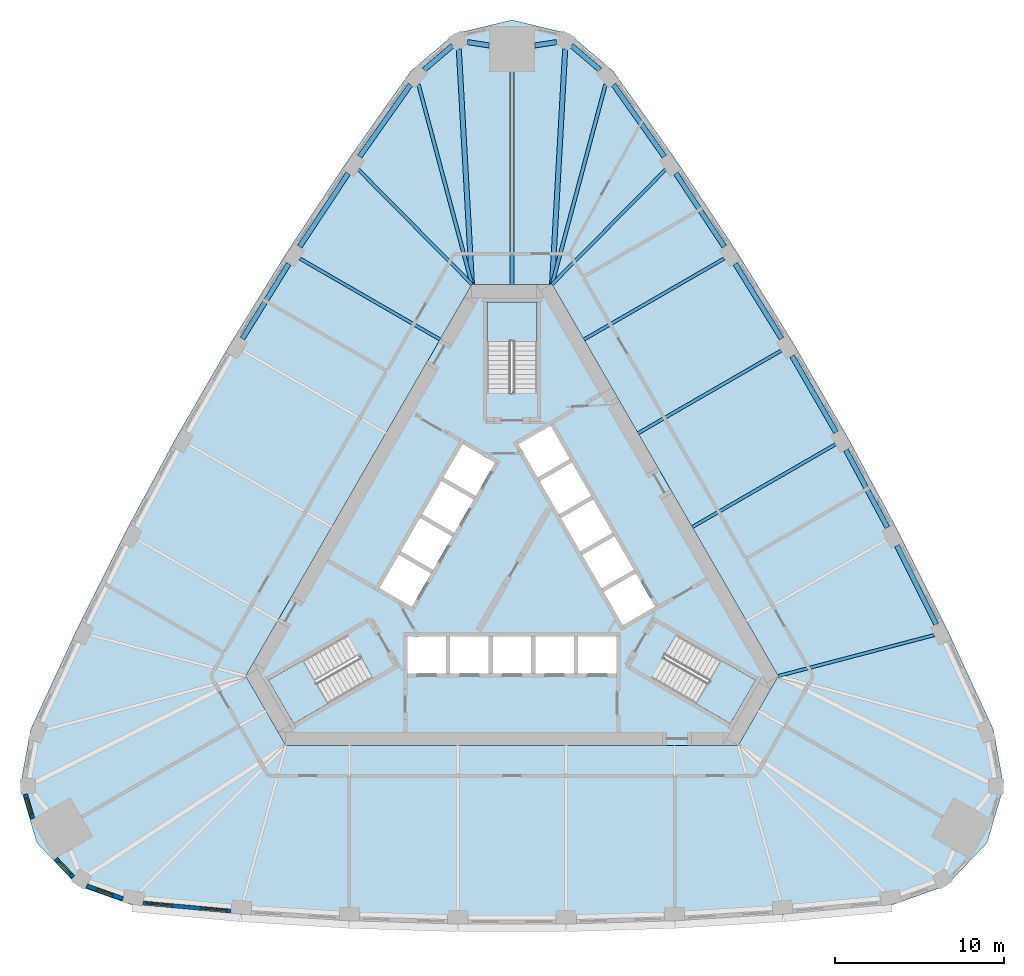
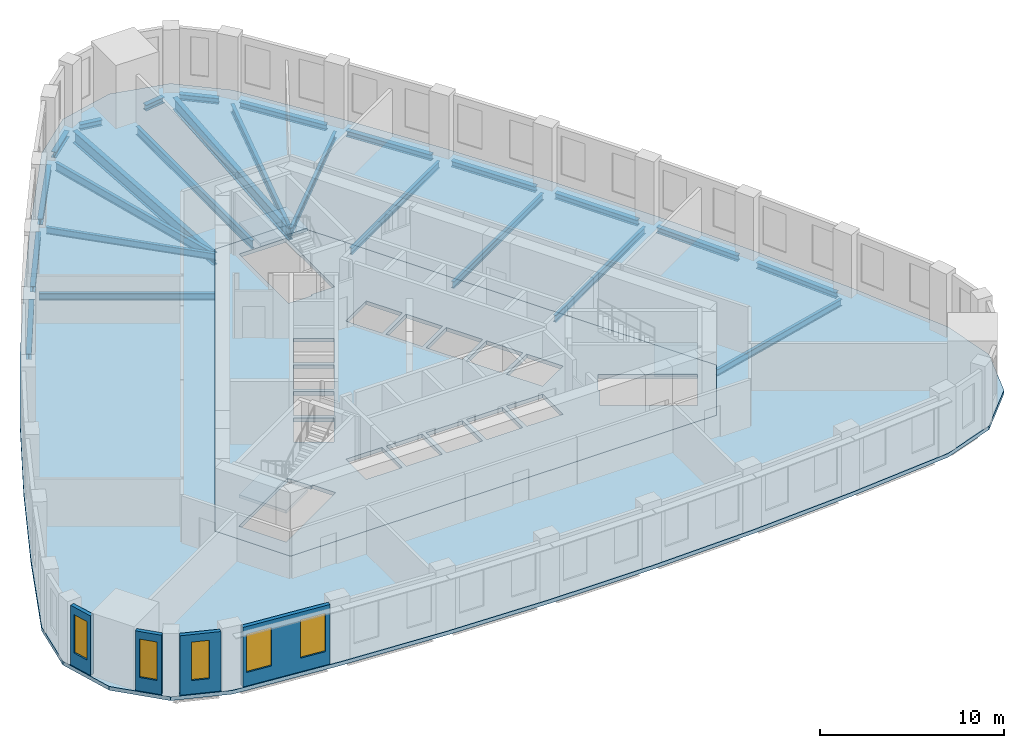
# One storey, part 2 of 9: 25 beams, 5 slabs, 5 windows, 4 walls, 5 openings, 3 elements without a shape of their own.
"""IFC4 building model written with IfcOpenShell, lengths in metres."""

from ifc_helpers import new_model, si_unit, direction, frame, frame_2d, origin, origin_2d, place, context, subcontext, project, spatial, polyline, rectangle, i_section, outline, extrude, material, layer, layer_set, material_profile, profile_set, type_object, element, fill, aggregate, save


model = new_model("IFC4")

# Units and contexts
model_context = context("Model", 3, precision=1e-05, world=origin(), true_north=direction((0.0, 1.0)))
body_context = subcontext(model_context, "Body", "Model", "MODEL_VIEW")
ifc_project = project(units=[si_unit("LENGTHUNIT", "METRE"), si_unit("AREAUNIT", "SQUARE_METRE"), si_unit("VOLUMEUNIT", "CUBIC_METRE"), si_unit("PLANEANGLEUNIT", "RADIAN"), si_unit("MASSUNIT", "GRAM", prefix="KILO")], contexts=[model_context])

# Site, building, storey
site_placement = place(None, origin())
site = spatial("IfcSite", under=ifc_project, at=site_placement, CompositionType="ELEMENT")
building_placement = place(site_placement, origin())
building = spatial("IfcBuilding", under=site, at=building_placement, Name="Mestral Congress Tower", CompositionType="ELEMENT")
storey_placement = place(building_placement, frame((0.0, 0.0, 183.60009765625)))
storey = spatial("IfcBuildingStorey", under=building, at=storey_placement, Name="L43", CompositionType="ELEMENT", Elevation=183.60009765625)

# Beams
ifc_material_1 = material(Name="Steel S355", Category="steel")
ifc_material_profile_1 = material_profile(ifc_material_1, i_section(OverallWidth=0.300048828125, OverallDepth=0.800048828125, WebThickness=0.017578125, FlangeThickness=0.032958984375, FilletRadius=0.030029296875, at=origin_2d()), Name="HEB 800")
ifc_profile_set_1 = profile_set([ifc_material_profile_1], Name="Steel S355")
beam_type_1 = type_object("IfcBeamType", Name="Floor beam HEB 800 S355", PredefinedType="BEAM", material=ifc_profile_set_1)
for number, where, z_axis, x_axis, name in (
    (1, (3.143798828125, 30.703857421875, -0.650146484375), (-0.055769084972, -0.998443693536, 0.0), (0.998443693536, -0.055769084972, 0.0), "BM-L43-RB3-N1"),
    (2, (-3.143798828125, 30.703857421875, -0.650146484375), (0.055769084972, -0.998443693536, 0.0), (0.998443693536, 0.055769084972, 0.0), "BM-L43-RB3-N3"),
):
    element("IfcBeam", number, at=place(storey_placement, frame(where, z_axis=z_axis, x_axis=x_axis)), inside=storey, type_object=beam_type_1, Name=name, PredefinedType="BEAM", context=body_context, shape_type="SweptSolid", body=[
        extrude(i_section(OverallWidth=0.300048828125, OverallDepth=0.800048828125, WebThickness=0.017578125, FlangeThickness=0.032958984375, FilletRadius=0.030029296875, at=origin_2d()), origin(), (0.0, 0.0, 1.0), 13.925537109375),
    ])
ifc_material_profile_2 = material_profile(ifc_material_1, i_section(OverallWidth=0.18994140625, OverallDepth=0.449951171875, WebThickness=0.009521484375, FlangeThickness=0.0146484375, FilletRadius=0.02099609375, at=origin_2d()), Name="IPE 450")
ifc_profile_set_2 = profile_set([ifc_material_profile_2], Name="Steel S355")
beam_type_2 = type_object("IfcBeamType", Name="Floor beam IPE 450 S355", PredefinedType="BEAM", material=ifc_profile_set_2)
beam_1_placement = place(storey_placement, frame((24.938232421875, -3.93505859375, -0.47509765625), z_axis=(-0.967265999603, -0.253764627187, 0.0), x_axis=(0.253764627187, -0.967265999603, 0.0)))
element("IfcBeam", 3, at=beam_1_placement, inside=storey, type_object=beam_type_2, Name="BM-L43-RB3-E01", PredefinedType="BEAM", context=body_context, shape_type="SweptSolid", body=[
    extrude(i_section(OverallWidth=0.18994140625, OverallDepth=0.449951171875, WebThickness=0.009521484375, FlangeThickness=0.0146484375, FilletRadius=0.02099609375, at=origin_2d()), origin(), (0.0, 0.0, 1.0), 9.516845703125),
])
beam_2_placement = place(storey_placement, frame((19.100830078125, 7.332763671875, -0.47509765625), z_axis=(-0.866036015824, -0.499981618958, 0.0), x_axis=(0.499981618958, -0.866036015824, 0.0)))
element("IfcBeam", 4, at=beam_2_placement, inside=storey, type_object=beam_type_2, Name="BM-L43-RB3-E03", PredefinedType="BEAM", context=body_context, shape_type="SweptSolid", body=[
    extrude(i_section(OverallWidth=0.18994140625, OverallDepth=0.449951171875, WebThickness=0.009521484375, FlangeThickness=0.0146484375, FilletRadius=0.02099609375, at=origin_2d()), origin(), (0.0, 0.0, 1.0), 9.758056640625),
])
beam_3_placement = place(storey_placement, frame((15.90087890625, 12.875244140625, -0.47509765625), z_axis=(-0.866025182435, -0.500000383388, 0.0), x_axis=(0.500000383388, -0.866025182435, 0.0)))
element("IfcBeam", 5, at=beam_3_placement, inside=storey, type_object=beam_type_2, Name="BM-L43-RB3-E04", PredefinedType="BEAM", context=body_context, shape_type="SweptSolid", body=[
    extrude(i_section(OverallWidth=0.18994140625, OverallDepth=0.449951171875, WebThickness=0.009521484375, FlangeThickness=0.0146484375, FilletRadius=0.02099609375, at=origin_2d()), origin(), (0.0, 0.0, 1.0), 9.75830078125),
])
beam_4_placement = place(storey_placement, frame((12.532958984375, 18.317138671875, -0.47509765625), z_axis=(-0.866022320763, -0.500005339912, 0.0), x_axis=(0.500005339912, -0.866022320763, 0.0)))
element("IfcBeam", 6, at=beam_4_placement, inside=storey, type_object=beam_type_2, Name="BM-L43-RB3-E05", PredefinedType="BEAM", context=body_context, shape_type="SweptSolid", body=[
    extrude(i_section(OverallWidth=0.18994140625, OverallDepth=0.449951171875, WebThickness=0.009521484375, FlangeThickness=0.0146484375, FilletRadius=0.02099609375, at=origin_2d()), origin(), (0.0, 0.0, 1.0), 9.5625),
])
for number, where, z_axis, x_axis, name in (
    (7, (9.06103515625, 23.564697265625, -0.47509765625), (-0.703377189025, -0.710816804781, 0.0), (0.710816804781, -0.703377189025, 0.0), "BM-L43-RB3-E06"),
    (8, (-9.06103515625, 23.564697265625, -0.47509765625), (0.703377189025, -0.710816804781, 0.0), (0.710816804781, 0.703377189025, 0.0), "BM-L43-RB3-W01"),
):
    element("IfcBeam", number, at=place(storey_placement, frame(where, z_axis=z_axis, x_axis=x_axis)), inside=storey, type_object=beam_type_2, Name=name, PredefinedType="BEAM", context=body_context, shape_type="SweptSolid", body=[
        extrude(i_section(OverallWidth=0.18994140625, OverallDepth=0.449951171875, WebThickness=0.009521484375, FlangeThickness=0.0146484375, FilletRadius=0.02099609375, at=origin_2d()), origin(), (0.0, 0.0, 1.0), 9.516845703125),
    ])
beam_5_placement = place(storey_placement, frame((-12.532958984375, 18.317138671875, -0.47509765625), z_axis=(0.866022320763, -0.500005339912, 0.0), x_axis=(0.500005339912, 0.866022320763, 0.0)))
element("IfcBeam", 9, at=beam_5_placement, inside=storey, type_object=beam_type_2, Name="BM-L43-RB3-W02", PredefinedType="BEAM", context=body_context, shape_type="SweptSolid", body=[
    extrude(i_section(OverallWidth=0.18994140625, OverallDepth=0.449951171875, WebThickness=0.009521484375, FlangeThickness=0.0146484375, FilletRadius=0.02099609375, at=origin_2d()), origin(), (0.0, 0.0, 1.0), 9.5625),
])
ifc_material_profile_3 = material_profile(ifc_material_1, i_section(OverallWidth=0.2099609375, OverallDepth=0.550048828125, WebThickness=0.010986328125, FlangeThickness=0.01708984375, FilletRadius=0.02392578125, at=origin_2d()), Name="IPE 550")
ifc_profile_set_3 = profile_set([ifc_material_profile_3], Name="Steel S355")
beam_type_3 = type_object("IfcBeamType", Name="Floor beam IPE 550 S355", PredefinedType="BEAM", material=ifc_profile_set_3)
beam_6_placement = place(storey_placement, frame((5.5283203125, 28.609375, -0.525146484375), z_axis=(-0.258577363905, -0.965990552167, 0.0), x_axis=(0.965990552167, -0.258577363905, 0.0)))
element("IfcBeam", 10, at=beam_6_placement, inside=storey, type_object=beam_type_3, Name="BM-L43-RB3-E07", PredefinedType="BEAM", context=body_context, shape_type="SweptSolid", body=[
    extrude(i_section(OverallWidth=0.2099609375, OverallDepth=0.550048828125, WebThickness=0.010986328125, FlangeThickness=0.01708984375, FilletRadius=0.02392578125, at=origin_2d()), origin(), (0.0, 0.0, 1.0), 12.22509765625),
])
beam_7_placement = place(storey_placement, frame((0.0, 29.354248046875, -0.525146484375), z_axis=(0.0, -1.0, 0.0), x_axis=(1.0, 0.0, 0.0)))
element("IfcBeam", 11, at=beam_7_placement, inside=storey, type_object=beam_type_3, Name="BM-L43-RB3-N", PredefinedType="BEAM", context=body_context, shape_type="SweptSolid", body=[
    extrude(i_section(OverallWidth=0.2099609375, OverallDepth=0.550048828125, WebThickness=0.010986328125, FlangeThickness=0.01708984375, FilletRadius=0.02392578125, at=origin_2d()), origin(), (0.0, 0.0, 1.0), 12.55419921875),
])
beam_8_placement = place(storey_placement, frame((-5.5283203125, 28.609375, -0.525146484375), z_axis=(0.258577363905, -0.965990552167, 0.0), x_axis=(0.965990552167, 0.258577363905, 0.0)))
element("IfcBeam", 12, at=beam_8_placement, inside=storey, type_object=beam_type_3, Name="BM-L43-RB3-W00", PredefinedType="BEAM", context=body_context, shape_type="SweptSolid", body=[
    extrude(i_section(OverallWidth=0.2099609375, OverallDepth=0.550048828125, WebThickness=0.010986328125, FlangeThickness=0.01708984375, FilletRadius=0.02392578125, at=origin_2d()), origin(), (0.0, 0.0, 1.0), 12.22509765625),
])
ifc_material_profile_4 = material_profile(ifc_material_1, i_section(OverallWidth=0.300048828125, OverallDepth=0.389892578125, WebThickness=0.010986328125, FlangeThickness=0.01904296875, FilletRadius=0.027099609375, at=origin_2d()), Name="HEA 400")
ifc_profile_set_4 = profile_set([ifc_material_profile_4], Name="Steel S355")
beam_type_4 = type_object("IfcBeamType", Name="Spandrel beam HEA 400 S355", PredefinedType="BEAM", material=ifc_profile_set_4)
beam_9_placement = place(storey_placement, frame((25.064453125, -3.294677734375, -0.445068359375), z_axis=(-0.446255467462, 0.894905613884, 0.0), x_axis=(-0.894905613884, -0.446255467462, 0.0)))
element("IfcBeam", 13, at=beam_9_placement, inside=storey, type_object=beam_type_4, Name="SP-L43-SB3-E01", PredefinedType="BEAM", context=body_context, shape_type="SweptSolid", body=[
    extrude(i_section(OverallWidth=0.300048828125, OverallDepth=0.389892578125, WebThickness=0.010986328125, FlangeThickness=0.01904296875, FilletRadius=0.027099609375, at=origin_2d()), origin(), (0.0, 0.0, 1.0), 5.199462890625),
])
for number, where, z_axis, x_axis, name in (
    (14, (22.1923828125, 2.424072265625, -0.445068359375), (-0.473332458078, 0.880883865291, 0.0), (-0.880883865291, -0.473332458078, 0.0), "SP-L43-SB3-E02"),
    (15, (19.147216796875, 8.052490234375, -0.445068359375), (-0.499992051641, 0.866029992723, 0.0), (-0.866029992723, -0.499992051641, 0.0), "SP-L43-SB3-E03"),
):
    element("IfcBeam", number, at=place(storey_placement, frame(where, z_axis=z_axis, x_axis=x_axis)), inside=storey, type_object=beam_type_4, Name=name, PredefinedType="BEAM", context=body_context, shape_type="SweptSolid", body=[
        extrude(i_section(OverallWidth=0.300048828125, OverallDepth=0.389892578125, WebThickness=0.010986328125, FlangeThickness=0.01904296875, FilletRadius=0.027099609375, at=origin_2d()), origin(), (0.0, 0.0, 1.0), 5.19970703125),
    ])
for number, where, z_axis, x_axis, name in (
    (16, (15.931640625, 13.585693359375, -0.445068359375), (-0.526220441006, 0.8503481919, 0.0), (-0.8503481919, -0.526220441006, 0.0), "SP-L43-SB3-E04"),
    (17, (12.548583984375, 19.017822265625, -0.445068359375), (-0.551901475275, 0.833909324561, 0.0), (-0.833909324561, -0.551901475275, 0.0), "SP-L43-SB3-E05"),
):
    element("IfcBeam", number, at=place(storey_placement, frame(where, z_axis=z_axis, x_axis=x_axis)), inside=storey, type_object=beam_type_4, Name=name, PredefinedType="BEAM", context=body_context, shape_type="SweptSolid", body=[
        extrude(i_section(OverallWidth=0.300048828125, OverallDepth=0.389892578125, WebThickness=0.010986328125, FlangeThickness=0.01904296875, FilletRadius=0.027099609375, at=origin_2d()), origin(), (0.0, 0.0, 1.0), 5.199462890625),
    ])
beam_10_placement = place(storey_placement, frame((9.00146484375, 24.34423828125, -0.445068359375), z_axis=(-0.577107284947, 0.816668342512, 0.0), x_axis=(-0.816668342512, -0.577107284947, 0.0)))
element("IfcBeam", 18, at=beam_10_placement, inside=storey, type_object=beam_type_4, Name="SP-L43-SB3-E06", PredefinedType="BEAM", context=body_context, shape_type="SweptSolid", body=[
    extrude(i_section(OverallWidth=0.300048828125, OverallDepth=0.389892578125, WebThickness=0.010986328125, FlangeThickness=0.01904296875, FilletRadius=0.027099609375, at=origin_2d()), origin(), (0.0, 0.0, 1.0), 5.197509765625),
])
beam_11_placement = place(storey_placement, frame((5.191162109375, 29.47509765625, -0.445068359375), z_axis=(-0.761471479234, 0.648198415852, 0.0), x_axis=(-0.648198415852, -0.761471479234, 0.0)))
element("IfcBeam", 19, at=beam_11_placement, inside=storey, type_object=beam_type_4, Name="SP-L43-SB3-E07", PredefinedType="BEAM", context=body_context, shape_type="SweptSolid", body=[
    extrude(i_section(OverallWidth=0.300048828125, OverallDepth=0.389892578125, WebThickness=0.010986328125, FlangeThickness=0.01904296875, FilletRadius=0.027099609375, at=origin_2d()), origin(), (0.0, 0.0, 1.0), 2.189697265625),
])
for number, where, z_axis, x_axis, name in (
    (20, (2.62353515625, 31.10986328125, -0.445068359375), (-0.988242111203, -0.152897121116, 0.0), (0.152897121116, -0.988242111203, 0.0), "SP-L43-SB3-N1"),
    (21, (-1.35009765625, 30.912841796875, -0.445068359375), (-0.988242111203, 0.152897121116, 0.0), (-0.152897121116, -0.988242111203, 0.0), "SP-L43-SB3-N"),
):
    element("IfcBeam", number, at=place(storey_placement, frame(where, z_axis=z_axis, x_axis=x_axis)), inside=storey, type_object=beam_type_4, Name=name, PredefinedType="BEAM", context=body_context, shape_type="SweptSolid", body=[
        extrude(i_section(OverallWidth=0.300048828125, OverallDepth=0.389892578125, WebThickness=0.010986328125, FlangeThickness=0.01904296875, FilletRadius=0.027099609375, at=origin_2d()), origin(), (0.0, 0.0, 1.0), 1.28857421875),
    ])
beam_12_placement = place(storey_placement, frame((-3.523681640625, 30.89453125, -0.445068359375), z_axis=(-0.761471479234, -0.648198415852, 0.0), x_axis=(0.648198415852, -0.761471479234, 0.0)))
element("IfcBeam", 22, at=beam_12_placement, inside=storey, type_object=beam_type_4, Name="SP-L43-SB3-N3", PredefinedType="BEAM", context=body_context, shape_type="SweptSolid", body=[
    extrude(i_section(OverallWidth=0.300048828125, OverallDepth=0.389892578125, WebThickness=0.010986328125, FlangeThickness=0.01904296875, FilletRadius=0.027099609375, at=origin_2d()), origin(), (0.0, 0.0, 1.0), 2.189697265625),
])
beam_13_placement = place(storey_placement, frame((-6.001953125, 28.5888671875, -0.445068359375), z_axis=(-0.577107284947, -0.816668342512, 0.0), x_axis=(0.816668342512, -0.577107284947, 0.0)))
element("IfcBeam", 23, at=beam_13_placement, inside=storey, type_object=beam_type_4, Name="SP-L43-SB3-W00", PredefinedType="BEAM", context=body_context, shape_type="SweptSolid", body=[
    extrude(i_section(OverallWidth=0.300048828125, OverallDepth=0.389892578125, WebThickness=0.010986328125, FlangeThickness=0.01904296875, FilletRadius=0.027099609375, at=origin_2d()), origin(), (0.0, 0.0, 1.0), 5.197509765625),
])
for number, where, z_axis, x_axis, name in (
    (24, (-9.678955078125, 23.353759765625, -0.445068359375), (-0.551901475275, -0.833909324561, 0.0), (0.833909324561, -0.551901475275, 0.0), "SP-L43-SB3-W01"),
    (25, (-13.195556640625, 18.007080078125, -0.445068359375), (-0.526220441006, -0.8503481919, 0.0), (0.8503481919, -0.526220441006, 0.0), "SP-L43-SB3-W02"),
):
    element("IfcBeam", number, at=place(storey_placement, frame(where, z_axis=z_axis, x_axis=x_axis)), inside=storey, type_object=beam_type_4, Name=name, PredefinedType="BEAM", context=body_context, shape_type="SweptSolid", body=[
        extrude(i_section(OverallWidth=0.300048828125, OverallDepth=0.389892578125, WebThickness=0.010986328125, FlangeThickness=0.01904296875, FilletRadius=0.027099609375, at=origin_2d()), origin(), (0.0, 0.0, 1.0), 5.199462890625),
    ])

# Slabs
ifc_material_2 = material(Name="Concrete C35/45", Category="concrete")
ifc_layer_1 = layer(ifc_material_2, 0.25)
ifc_layer_set_1 = layer_set([ifc_layer_1], Name="Concrete C35/45")
slab_type_1 = type_object("IfcSlabType", Name="Composite floor slab 250", PredefinedType="FLOOR", material=ifc_layer_set_1)
placement_1 = place(storey_placement, frame((0.0, 0.0, -0.25)))
element("IfcSlab", 26, at=placement_1, inside=storey, type_object=slab_type_1, Name="SL-L43", PredefinedType="FLOOR", context=body_context, shape_type="SweptSolid", body=[
    extrude(outline(polyline([(-22.455078125, -19.880126953125), (-25.68212890625, -18.731689453125), (-28.073974609375, -16.20849609375), (-29.06298828125, -12.87548828125), (-28.444091796875, -9.506591796875), (-25.73779296875, -3.63720703125), (-22.8759765625, 2.1025390625), (-19.84033203125, 7.751953125), (-16.633544921875, 13.30615234375), (-13.2587890625, 18.760009765625), (-9.71923828125, 24.1083984375), (-5.9892578125, 29.38671875), (-3.381103515625, 31.607177734375), (0.0, 32.4169921875), (3.381103515625, 31.607177734375), (5.9892578125, 29.38671875), (9.71923828125, 24.1083984375), (13.2587890625, 18.760009765625), (16.633544921875, 13.30615234375), (19.84033203125, 7.751953125), (22.8759765625, 2.1025390625), (25.73779296875, -3.63720703125), (28.444091796875, -9.506591796875), (29.06298828125, -12.87548828125), (28.073974609375, -16.20849609375), (25.68212890625, -18.731689453125), (22.455078125, -19.880126953125), (16.018798828125, -20.47119140625), (9.6171875, -20.862548828125), (3.206787109375, -21.05810546875), (-3.206787109375, -21.05810546875), (-9.6171875, -20.862548828125), (-16.018798828125, -20.47119140625), (-22.455078125, -19.880126953125)]), holes=[polyline([(-2.3671875, 16.800048828125), (-15.73291015625, -6.35009765625), (-13.36572265625, -10.449951171875), (13.36572265625, -10.449951171875), (15.73291015625, -6.35009765625), (2.3671875, 16.800048828125), (-2.3671875, 16.800048828125)])]), origin(), (0.0, 0.0, 1.0), 0.25),
])
ifc_material_3 = material(Name="Concrete C60/75", Category="concrete")
ifc_layer_2 = layer(ifc_material_3, 0.25)
ifc_layer_set_2 = layer_set([ifc_layer_2], Name="Concrete C60/75")
slab_type_2 = type_object("IfcSlabType", Name="Core floor slab RC 250", PredefinedType="FLOOR", material=ifc_layer_set_2)
element("IfcSlab", 27, at=placement_1, inside=storey, type_object=slab_type_2, Name="L43 core floor", PredefinedType="FLOOR", context=body_context, shape_type="SweptSolid", body=[
    extrude(outline(polyline([(13.36572265625, -10.449951171875), (-13.36572265625, -10.449951171875), (-15.73291015625, -6.35009765625), (-2.3671875, 16.800048828125), (2.3671875, 16.800048828125), (15.73291015625, -6.35009765625), (13.36572265625, -10.449951171875)]), holes=[polyline([(-9.8046875, -3.95751953125), (-14.37744140625, -6.59765625), (-12.90234375, -9.15234375), (-8.234619140625, -6.45751953125), (-8.971923828125, -5.179931640625), (-9.0673828125, -5.235107421875), (-9.8046875, -3.95751953125)]), polyline([(-3.905029296875, -4.0), (-6.175048828125, -4.0), (-6.175048828125, -6.199951171875), (-3.905029296875, -6.199951171875), (-3.905029296875, -4.0)]), polyline([(-1.385009765625, -4.0), (-3.655029296875, -4.0), (-3.655029296875, -6.199951171875), (-1.385009765625, -6.199951171875), (-1.385009765625, -4.0)]), polyline([(1.135009765625, -4.0), (-1.135009765625, -4.0), (-1.135009765625, -6.199951171875), (1.135009765625, -6.199951171875), (1.135009765625, -4.0)]), polyline([(-5.921630859375, -2.256591796875), (-4.78662109375, -0.29052734375), (-6.69189453125, 0.809326171875), (-7.826904296875, -1.156494140625), (-5.921630859375, -2.256591796875)]), polyline([(-4.66162109375, -0.07421875), (-3.526611328125, 1.8916015625), (-5.431884765625, 2.99169921875), (-6.56689453125, 1.02587890625), (-4.66162109375, -0.07421875)]), polyline([(-3.401611328125, 2.1083984375), (-2.2666015625, 4.07421875), (-4.171875, 5.174072265625), (-5.306884765625, 3.208251953125), (-3.401611328125, 2.1083984375)]), polyline([(-2.1416015625, 4.29052734375), (-1.006591796875, 6.256591796875), (-2.911865234375, 7.3564453125), (-4.046875, 5.390625), (-2.1416015625, 4.29052734375)]), polyline([(1.47509765625, 10.469970703125), (1.47509765625, 15.75), (-1.47509765625, 15.75), (-1.47509765625, 10.360107421875), (0.0, 10.360107421875), (0.0, 10.469970703125), (1.47509765625, 10.469970703125)]), polyline([(8.329833984375, -6.512451171875), (12.90234375, -9.15234375), (14.37744140625, -6.59765625), (9.70947265625, -3.902587890625), (8.971923828125, -5.179931640625), (9.0673828125, -5.235107421875), (8.329833984375, -6.512451171875)]), polyline([(3.655029296875, -4.0), (1.385009765625, -4.0), (1.385009765625, -6.199951171875), (3.655029296875, -6.199951171875), (3.655029296875, -4.0)]), polyline([(6.175048828125, -4.0), (3.905029296875, -4.0), (3.905029296875, -6.199951171875), (6.175048828125, -6.199951171875), (6.175048828125, -4.0)]), polyline([(5.41650390625, -1.3818359375), (6.551513671875, -3.34765625), (8.456787109375, -2.247802734375), (7.322021484375, -0.28173828125), (5.41650390625, -1.3818359375)]), polyline([(4.156494140625, 0.800537109375), (5.29150390625, -1.165283203125), (7.197021484375, -0.065185546875), (6.06201171875, 1.900634765625), (4.156494140625, 0.800537109375)]), polyline([(2.896484375, 2.98291015625), (4.031494140625, 1.01708984375), (5.93701171875, 2.1171875), (4.802001953125, 4.0830078125), (2.896484375, 2.98291015625)]), polyline([(3.5419921875, 6.265380859375), (1.63671875, 5.165283203125), (2.771484375, 3.199462890625), (4.677001953125, 4.29931640625), (3.5419921875, 6.265380859375)]), polyline([(2.281982421875, 8.44775390625), (0.376708984375, 7.34765625), (1.51171875, 5.3818359375), (3.4169921875, 6.481689453125), (2.281982421875, 8.44775390625)])]), origin(), (0.0, 0.0, 1.0), 0.25),
])

# Stair, slab
stair_type = type_object("IfcStairType", Name="Exit stair 1400", PredefinedType="HALF_TURN_STAIR", material=ifc_material_3)
placement_2 = place(storey_placement, origin())
stair_1 = element("IfcStair", 28, at=placement_2, inside=storey, type_object=stair_type, Name="L43 ST1", PredefinedType="HALF_TURN_STAIR")
ifc_layer_3 = layer(ifc_material_3, 0.199951171875)
ifc_layer_set_3 = layer_set([ifc_layer_3], Name="Concrete C60/75")
slab_type_3 = type_object("IfcSlabType", Name="Exit stair landing 200", PredefinedType="LANDING", material=ifc_layer_set_3)
placement_3 = place(storey_placement, frame((0.0, 0.0, 1.89990234375)))
slab_3 = element("IfcSlab", 29, at=placement_3, type_object=slab_type_3, Name="ST1 landing 1", PredefinedType="LANDING", context=body_context, shape_type="SweptSolid", body=[
    extrude(outline(polyline([(10.879638671875, -7.99609375), (12.364501953125, -5.424072265625), (14.39111328125, -6.593994140625), (12.906005859375, -9.166015625), (10.879638671875, -7.99609375)])), origin(), (0.0, 0.0, 1.0), 0.199951171875),
])
aggregate(stair_1, [slab_3])

stair_2 = element("IfcStair", 30, at=placement_2, inside=storey, type_object=stair_type, Name="L43 ST2", PredefinedType="HALF_TURN_STAIR")
slab_4 = element("IfcSlab", 31, at=placement_3, type_object=slab_type_3, Name="ST2 landing 1", PredefinedType="LANDING", context=body_context, shape_type="SweptSolid", body=[
    extrude(outline(polyline([(1.485107421875, 13.419921875), (-1.485107421875, 13.419921875), (-1.485107421875, 15.760009765625), (1.485107421875, 15.760009765625), (1.485107421875, 13.419921875)])), origin(), (0.0, 0.0, 1.0), 0.199951171875),
])
aggregate(stair_2, [slab_4])

stair_3 = element("IfcStair", 32, at=placement_2, inside=storey, type_object=stair_type, Name="L43 ST3", PredefinedType="HALF_TURN_STAIR")
slab_5 = element("IfcSlab", 33, at=placement_3, type_object=slab_type_3, Name="ST3 landing 1", PredefinedType="LANDING", context=body_context, shape_type="SweptSolid", body=[
    extrude(outline(polyline([(-12.364501953125, -5.424072265625), (-10.879638671875, -7.99609375), (-12.906005859375, -9.166015625), (-14.39111328125, -6.593994140625), (-12.364501953125, -5.424072265625)])), origin(), (0.0, 0.0, 1.0), 0.199951171875),
])
aggregate(stair_3, [slab_5])

# Wall, openings, windows
ifc_material_4 = material(Name="Precast concrete C40/50 with limestone facing", Category="masonry")
ifc_layer_4 = layer(ifc_material_4, 0.239990234375)
ifc_layer_set_4 = layer_set([ifc_layer_4], Name="Precast concrete C40/50 with limestone facing")
wall_type = type_object("IfcWallType", Name="Facade stone wall 240", PredefinedType="SOLIDWALL", material=ifc_layer_set_4)
wall_1_placement = place(storey_placement, frame((-21.797119140625, -19.769775390625, 0.0), z_axis=(0.0, 0.0, 1.0), x_axis=(0.995808712151, -0.091460422067, 0.0)))
wall_1 = element("IfcWall", 34, at=wall_1_placement, inside=storey, type_object=wall_type, Name="Facade wall F0-00", PredefinedType="SOLIDWALL", context=body_context, shape_type="SweptSolid", body=[
    extrude(rectangle(XDim=5.213134765625, YDim=0.239990234375, at=frame_2d((2.6064453125, 0.0))), origin(), (0.0, 0.0, 1.0), 3.949951171875),
])
opening_1_placement = place(wall_1_placement, frame((0.220947265625, 0.0, 0.89990234375)))
opening_1 = element("IfcOpeningElement", 35, at=opening_1_placement, cuts=wall_1, Name="Opening W4", PredefinedType="OPENING", context=body_context, shape_type="SweptSolid", body=[
    extrude(rectangle(XDim=1.5, YDim=2.550048828125, at=frame_2d((0.75, 1.27490234375))), frame((0.0, 0.1298828125, 0.0), z_axis=(0.0, -1.0, 0.0), x_axis=(1.0, 0.0, 0.0)), (0.0, 0.0, 1.0), 0.260009765625),
])
opening_2_placement = place(wall_1_placement, frame((3.452392578125, 0.0, 0.89990234375)))
opening_2 = element("IfcOpeningElement", 36, at=opening_2_placement, cuts=wall_1, Name="Opening W4", PredefinedType="OPENING", context=body_context, shape_type="SweptSolid", body=[
    extrude(rectangle(XDim=1.5, YDim=2.550048828125, at=frame_2d((0.75, 1.27490234375))), frame((0.0, 0.1298828125, 0.0), z_axis=(0.0, -1.0, 0.0), x_axis=(1.0, 0.0, 0.0)), (0.0, 0.0, 1.0), 0.260009765625),
])
ifc_material_5 = material(Name="Clear low-emissivity double glazing", Category="glass")
window_type_1 = type_object("IfcWindowType", Name="Facade punched window 1500 x 2550 sill 900", PartitioningType="SINGLE_PANEL", PredefinedType="WINDOW", material=ifc_material_5)
window_1_placement = place(opening_1_placement, origin())
window_1 = element("IfcWindow", 37, at=window_1_placement, inside=storey, type_object=window_type_1, Name="Window F0-00a", OverallHeight=2.550048828125, OverallWidth=1.5, PartitioningType="SINGLE_PANEL", PredefinedType="WINDOW", context=body_context, shape_type="SweptSolid", body=[
    extrude(rectangle(XDim=1.5, YDim=2.550048828125, at=frame_2d((0.75, 1.27490234375))), frame((0.0, 0.0400390625, 0.0), z_axis=(0.0, -1.0, 0.0), x_axis=(1.0, 0.0, 0.0)), (0.0, 0.0, 1.0), 0.06005859375),
])
fill(opening_1, window_1)
window_2_placement = place(opening_2_placement, origin())
window_2 = element("IfcWindow", 38, at=window_2_placement, inside=storey, type_object=window_type_1, Name="Window F0-00b", OverallHeight=2.550048828125, OverallWidth=1.5, PartitioningType="SINGLE_PANEL", PredefinedType="WINDOW", context=body_context, shape_type="SweptSolid", body=[
    extrude(rectangle(XDim=1.5, YDim=2.550048828125, at=frame_2d((0.75, 1.27490234375))), frame((0.0, 0.0400390625, 0.0), z_axis=(0.0, -1.0, 0.0), x_axis=(1.0, 0.0, 0.0)), (0.0, 0.0, 1.0), 0.06005859375),
])
fill(opening_2, window_2)

# Wall, opening, window
wall_2_placement = place(storey_placement, frame((-28.747802734375, -13.340087890625, 0.0), z_axis=(0.0, 0.0, 1.0), x_axis=(0.284413721403, -0.958701640281, 0.0)))
wall_2 = element("IfcWall", 39, at=wall_2_placement, inside=storey, type_object=wall_type, Name="Facade wall K2-1", PredefinedType="SOLIDWALL", context=body_context, shape_type="SweptSolid", body=[
    extrude(rectangle(XDim=1.481689453125, YDim=0.239990234375, at=frame_2d((0.74072265625, 0.0))), origin(), (0.0, 0.0, 1.0), 3.949951171875),
])
opening_3_placement = place(wall_2_placement, frame((0.24072265625, 0.0, 0.89990234375)))
opening_3 = element("IfcOpeningElement", 40, at=opening_3_placement, cuts=wall_2, Name="Opening W5", PredefinedType="OPENING", context=body_context, shape_type="SweptSolid", body=[
    extrude(rectangle(XDim=1.0, YDim=2.550048828125, at=frame_2d((0.5, 1.27490234375))), frame((0.0, 0.1298828125, 0.0), z_axis=(0.0, -1.0, 0.0), x_axis=(1.0, 0.0, 0.0)), (0.0, 0.0, 1.0), 0.260009765625),
])
window_type_2 = type_object("IfcWindowType", Name="Facade punched window 1000 x 2550 sill 900", PartitioningType="SINGLE_PANEL", PredefinedType="WINDOW", material=ifc_material_5)
window_3_placement = place(opening_3_placement, origin())
window_3 = element("IfcWindow", 41, at=window_3_placement, inside=storey, type_object=window_type_2, Name="Window K2-1", OverallHeight=2.550048828125, OverallWidth=1.0, PartitioningType="SINGLE_PANEL", PredefinedType="WINDOW", context=body_context, shape_type="SweptSolid", body=[
    extrude(rectangle(XDim=1.0, YDim=2.550048828125, at=frame_2d((0.5, 1.27490234375))), frame((0.0, 0.0400390625, 0.0), z_axis=(0.0, -1.0, 0.0), x_axis=(1.0, 0.0, 0.0)), (0.0, 0.0, 1.0), 0.06005859375),
])
fill(opening_3, window_3)

wall_3_placement = place(storey_placement, frame((-26.946044921875, -17.151123046875, 0.0), z_axis=(0.0, 0.0, 1.0), x_axis=(0.687986858937, -0.725723144133, 0.0)))
wall_3 = element("IfcWall", 42, at=wall_3_placement, inside=storey, type_object=wall_type, Name="Facade wall K2-2", PredefinedType="SOLIDWALL", context=body_context, shape_type="SweptSolid", body=[
    extrude(rectangle(XDim=1.4814453125, YDim=0.239990234375, at=frame_2d((0.74072265625, 0.0))), origin(), (0.0, 0.0, 1.0), 3.949951171875),
])
opening_4_placement = place(wall_3_placement, frame((0.24072265625, 0.0, 0.89990234375)))
opening_4 = element("IfcOpeningElement", 43, at=opening_4_placement, cuts=wall_3, Name="Opening W5", PredefinedType="OPENING", context=body_context, shape_type="SweptSolid", body=[
    extrude(rectangle(XDim=1.0, YDim=2.550048828125, at=frame_2d((0.5, 1.27490234375))), frame((0.0, 0.1298828125, 0.0), z_axis=(0.0, -1.0, 0.0), x_axis=(1.0, 0.0, 0.0)), (0.0, 0.0, 1.0), 0.260009765625),
])
window_4_placement = place(opening_4_placement, origin())
window_4 = element("IfcWindow", 44, at=window_4_placement, inside=storey, type_object=window_type_2, Name="Window K2-2", OverallHeight=2.550048828125, OverallWidth=1.0, PartitioningType="SINGLE_PANEL", PredefinedType="WINDOW", context=body_context, shape_type="SweptSolid", body=[
    extrude(rectangle(XDim=1.0, YDim=2.550048828125, at=frame_2d((0.5, 1.27490234375))), frame((0.0, 0.0400390625, 0.0), z_axis=(0.0, -1.0, 0.0), x_axis=(1.0, 0.0, 0.0)), (0.0, 0.0, 1.0), 0.06005859375),
])
fill(opening_4, window_4)

wall_4_placement = place(storey_placement, frame((-25.12109375, -18.750732421875, 0.0), z_axis=(0.0, 0.0, 1.0), x_axis=(0.942099727267, -0.335332825539, 0.0)))
wall_4 = element("IfcWall", 45, at=wall_4_placement, inside=storey, type_object=wall_type, Name="Facade wall K2-3", PredefinedType="SOLIDWALL", context=body_context, shape_type="SweptSolid", body=[
    extrude(rectangle(XDim=2.25048828125, YDim=0.239990234375, at=frame_2d((1.125244140625, 0.0))), origin(), (0.0, 0.0, 1.0), 3.949951171875),
])
opening_5_placement = place(wall_4_placement, frame((0.625244140625, 0.0, 0.89990234375)))
opening_5 = element("IfcOpeningElement", 46, at=opening_5_placement, cuts=wall_4, Name="Opening W5", PredefinedType="OPENING", context=body_context, shape_type="SweptSolid", body=[
    extrude(rectangle(XDim=1.0, YDim=2.550048828125, at=frame_2d((0.5, 1.27490234375))), frame((0.0, 0.1298828125, 0.0), z_axis=(0.0, -1.0, 0.0), x_axis=(1.0, 0.0, 0.0)), (0.0, 0.0, 1.0), 0.260009765625),
])
window_5_placement = place(opening_5_placement, origin())
window_5 = element("IfcWindow", 47, at=window_5_placement, inside=storey, type_object=window_type_2, Name="Window K2-3", OverallHeight=2.550048828125, OverallWidth=1.0, PartitioningType="SINGLE_PANEL", PredefinedType="WINDOW", context=body_context, shape_type="SweptSolid", body=[
    extrude(rectangle(XDim=1.0, YDim=2.550048828125, at=frame_2d((0.5, 1.27490234375))), frame((0.0, 0.0400390625, 0.0), z_axis=(0.0, -1.0, 0.0), x_axis=(1.0, 0.0, 0.0)), (0.0, 0.0, 1.0), 0.06005859375),
])
fill(opening_5, window_5)

save(model, "model.ifc")
